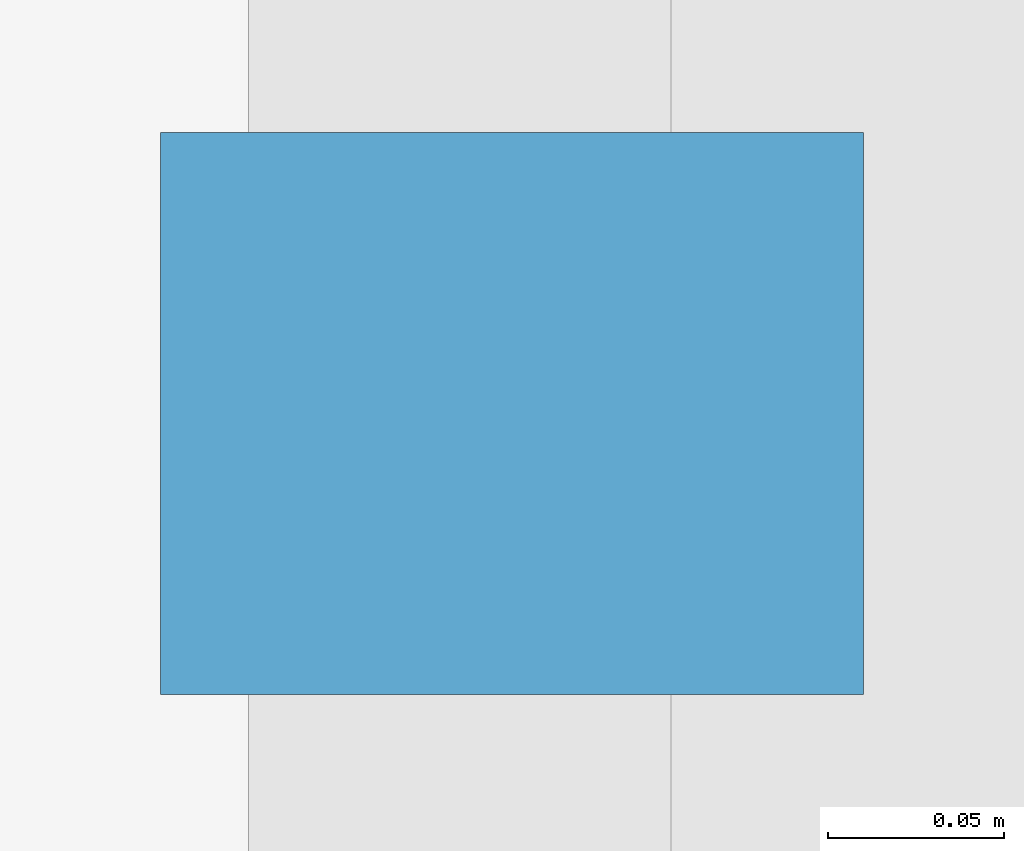
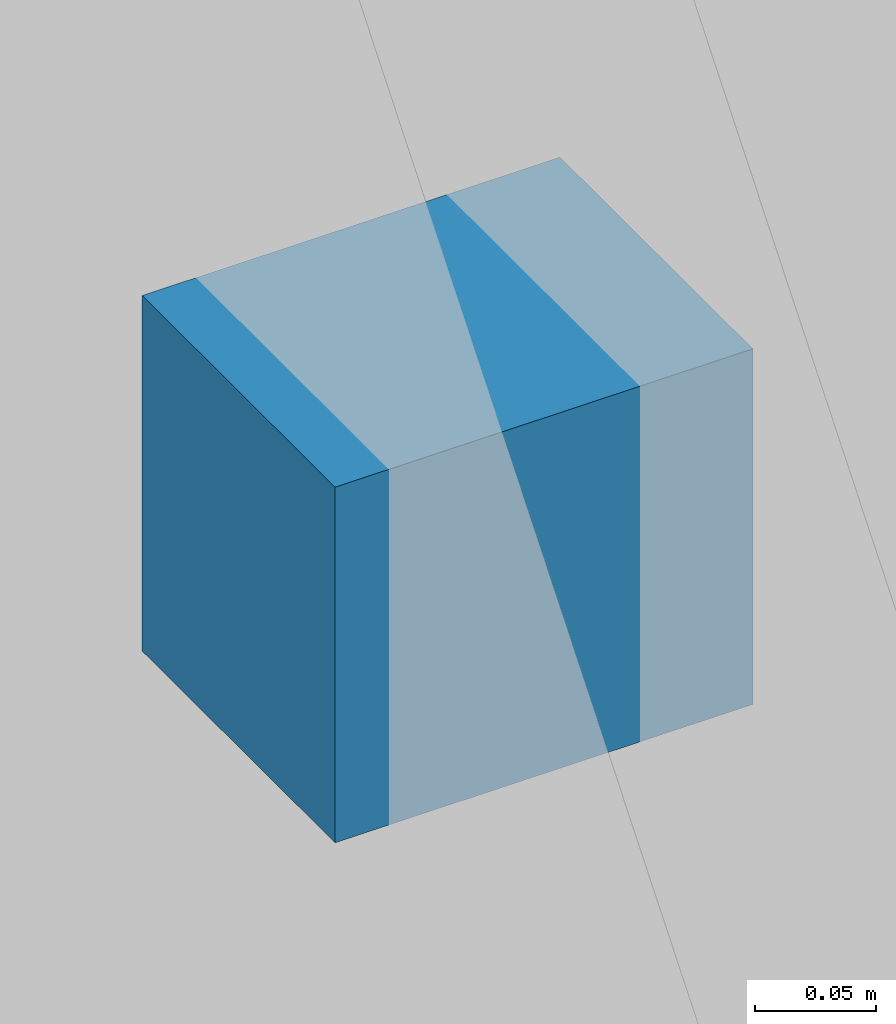
# One storey, part 17 of 21: 1 discrete accessory.
"""IFC4 building model written with IfcOpenShell, lengths in metres."""

import ifcopenshell
import ifcopenshell.guid

model = None  # the IFC model being written
_history = None  # IfcOwnerHistory: only IFC2X3 demands one
_inside = {}  # id of a spatial element -> (the spatial element, [elements in it])
_under = {}  # id of a project, library or spatial element -> (it, [spatial elements below it])
_declared = {}  # id of a project -> (the project, [libraries it declares])
_typed = {}  # id of a type object -> (the type object, [elements of that type])
_made_of = {}  # id of a material, layer set ... -> (it, [elements and type objects made of it])


def new_model(schema):
    """Start an empty IFC model of exactly this schema.

    Asked for "IFC4X3", IfcOpenShell would pick the latest addendum, in which some entities
    have other attributes; the version numbers below select the first issue.
    IFC2X3 requires an IfcOwnerHistory on every rooted entity: one is made here for all.
    """
    global model, _history
    if schema == "IFC4X3":
        model = ifcopenshell.file(schema_version=(4, 3, 0, 0))
    else:
        model = ifcopenshell.file(schema=schema)
    _inside.clear()
    _under.clear()
    _declared.clear()
    _typed.clear()
    _made_of.clear()
    _history = None
    if model.schema == "IFC2X3":
        org = make("IfcOrganization", Name="unknown")
        user = make(
            "IfcPersonAndOrganization",
            ThePerson=make("IfcPerson", FamilyName="unknown"),
            TheOrganization=org,
        )
        app = make(
            "IfcApplication",
            ApplicationDeveloper=org,
            Version="unknown",
            ApplicationFullName="unknown",
            ApplicationIdentifier="unknown",
        )
        _history = make(
            "IfcOwnerHistory",
            OwningUser=user,
            OwningApplication=app,
            ChangeAction="ADDED",
            CreationDate=0,
        )
    return model


def make(cls, **values):
    """One entity of the class cls with the attributes given. An attribute that is None is left unset."""
    return model.create_entity(
        cls, **{name: value for name, value in values.items() if value is not None}
    )


def rooted(cls, **values):
    """An entity with a GlobalId (a new one), such as an element, a storey or a relation."""
    return make(cls, GlobalId=ifcopenshell.guid.new(), OwnerHistory=_history, **values)


def si_unit(unit_type, name, prefix=None):
    """IfcSIUnit, for example si_unit("LENGTHUNIT", "METRE", prefix="MILLI")."""
    return make("IfcSIUnit", UnitType=unit_type, Prefix=prefix, Name=name)


def assignment(units):
    """IfcUnitAssignment: the units of a project."""
    return None if units is None else make("IfcUnitAssignment", Units=units)


def point(xyz):
    """IfcCartesianPoint."""
    return None if xyz is None else make("IfcCartesianPoint", Coordinates=xyz)


def direction(xyz):
    """IfcDirection."""
    return None if xyz is None else make("IfcDirection", DirectionRatios=xyz)


def frame(location, z_axis=None, x_axis=None):
    """IfcAxis2Placement3D, a coordinate frame: its origin and axes. An axis left out is left unset."""
    return make(
        "IfcAxis2Placement3D",
        Location=point(location),
        Axis=direction(z_axis),
        RefDirection=direction(x_axis),
    )


def frame_2d(location, x_axis=None):
    """IfcAxis2Placement2D, a coordinate frame in the plane: its origin and x axis."""
    return make(
        "IfcAxis2Placement2D", Location=point(location), RefDirection=direction(x_axis)
    )


def origin():
    """The frame at (0, 0, 0) with its axes left unset."""
    return frame((0.0, 0.0, 0.0))


def origin_2d():
    """The frame at (0, 0) in the plane with its x axis left unset."""
    return frame_2d((0.0, 0.0))


def place(relative_to, where):
    """IfcLocalPlacement: puts the frame where relative to a parent placement (None: the world)."""
    return make(
        "IfcLocalPlacement", PlacementRelTo=relative_to, RelativePlacement=where
    )


def context(
    kind, dimensions, precision=None, world=None, true_north=None, identifier=None
):
    """IfcGeometricRepresentationContext, for example the 3D "Model" context."""
    return make(
        "IfcGeometricRepresentationContext",
        ContextIdentifier=identifier,
        ContextType=kind,
        CoordinateSpaceDimension=dimensions,
        Precision=precision,
        WorldCoordinateSystem=world,
        TrueNorth=true_north,
    )


def subcontext(parent, identifier, kind, view, scale=None):
    """IfcGeometricRepresentationSubContext, for example "Body" below "Model"."""
    return make(
        "IfcGeometricRepresentationSubContext",
        ContextIdentifier=identifier,
        ContextType=kind,
        ParentContext=parent,
        TargetScale=scale,
        TargetView=view,
    )


def project(units=None, contexts=None):
    """IfcProject with its units and contexts."""
    return rooted(
        "IfcProject",
        Name="project",
        RepresentationContexts=contexts,
        UnitsInContext=assignment(units),
    )


def spatial(cls, under=None, at=None, **own):
    """A site, building, storey or space (cls), placed at a placement, below another one or the project."""
    s = rooted(cls, ObjectPlacement=at, **own)
    if under is not None:
        _under.setdefault(under.id(), (under, []))[1].append(s)
    return s


def profile(cls, at=None, kind="AREA", **sizes):
    """A parametric profile (cls). Its sizes go by their IFC names, for example OverallWidth=200.0."""
    return make(cls, ProfileType=kind, Position=at, **sizes)


def rectangle(**sizes):
    """IfcRectangleProfileDef."""
    return profile("IfcRectangleProfileDef", **sizes)


def extrude(swept, where, along, depth):
    """IfcExtrudedAreaSolid: the profile swept, set in the frame where, extruded along a direction by depth."""
    return make(
        "IfcExtrudedAreaSolid",
        SweptArea=swept,
        Position=where,
        ExtrudedDirection=direction(along),
        Depth=depth,
    )


def shape(context_of_items, identifier, shape_type, items):
    """IfcShapeRepresentation: the items that make up one representation, for example the "Body"."""
    return make(
        "IfcShapeRepresentation",
        ContextOfItems=context_of_items,
        RepresentationIdentifier=identifier,
        RepresentationType=shape_type,
        Items=items,
    )


def material(Name=None, Category=None):
    """IfcMaterial."""
    return make("IfcMaterial", Name=Name, Category=Category)


def made_of(thing, what):
    """Note that an element or type object is made of a material, layer set ...; save() writes the relation."""
    if what is not None:
        _made_of.setdefault(what.id(), (what, []))[1].append(thing)
    return thing


def type_object(cls, material=None, **own):
    """A type object (cls), such as IfcWallType, which elements share."""
    return made_of(rooted(cls, **own), material)


def element(
    cls,
    number,
    at=None,
    inside=None,
    cuts=None,
    type_object=None,
    material=None,
    context=None,
    identifier="Body",
    shape_type=None,
    held_by="IfcProductDefinitionShape",
    body=None,
    shapes=None,
    **own,
):
    """One element of the class cls, such as IfcWall. Its Tag is "e" and its number.

    at: its placement. inside: the storey or other place that contains it. cuts: it is an
    opening in that element (IfcRelVoidsElement). A single representation is given by context,
    identifier, shape_type and body (its items); several are given by shapes. held_by: the class
    of the entity that holds the representations. save() writes the other relations.
    """
    e = rooted(cls, Tag="e%d" % number, ObjectPlacement=at, **own)
    if body is not None:
        shapes = [shape(context, identifier, shape_type, body)]
    if shapes is not None:
        e.Representation = make(held_by, Representations=shapes)
    if inside is not None:
        _inside.setdefault(inside.id(), (inside, []))[1].append(e)
    if cuts is not None:
        rooted(
            "IfcRelVoidsElement", RelatingBuildingElement=cuts, RelatedOpeningElement=e
        )
    if type_object is not None:
        _typed.setdefault(type_object.id(), (type_object, []))[1].append(e)
    return made_of(e, material)


def aggregate(whole, parts):
    """IfcRelAggregates: a whole, such as a stair, and the parts it consists of."""
    return rooted("IfcRelAggregates", RelatingObject=whole, RelatedObjects=parts)


def save(model, path):
    """Write the relations noted so far, then the file.

    IfcRelAggregates (storeys below a building ...), IfcRelContainedInSpatialStructure (elements
    in a storey), IfcRelDefinesByType, IfcRelAssociatesMaterial and IfcRelDeclares: one each for
    every whole, place, type object, material and project.
    """
    for whole, parts in _under.values():
        aggregate(whole, parts)
    for where, things in _inside.values():
        rooted(
            "IfcRelContainedInSpatialStructure",
            RelatedElements=things,
            RelatingStructure=where,
        )
    for kind, things in _typed.values():
        rooted("IfcRelDefinesByType", RelatedObjects=things, RelatingType=kind)
    for what, things in _made_of.values():
        rooted("IfcRelAssociatesMaterial", RelatedObjects=things, RelatingMaterial=what)
    for by, libraries in _declared.values():
        rooted("IfcRelDeclares", RelatingContext=by, RelatedDefinitions=libraries)
    model.write(path)


model = new_model("IFC4")

# Units and contexts
model_context = context("Model", 3, precision=1e-05, world=origin(), true_north=direction((0.0, 1.0)))
body_context = subcontext(model_context, "Body", "Model", "MODEL_VIEW")
ifc_project = project(units=[si_unit("LENGTHUNIT", "METRE"), si_unit("AREAUNIT", "SQUARE_METRE"), si_unit("VOLUMEUNIT", "CUBIC_METRE"), si_unit("PLANEANGLEUNIT", "RADIAN"), si_unit("MASSUNIT", "GRAM", prefix="KILO")], contexts=[model_context])

# Site, building, storey
site_placement = place(None, origin())
site = spatial("IfcSite", under=ifc_project, at=site_placement, CompositionType="ELEMENT")
building_placement = place(site_placement, origin())
building = spatial("IfcBuilding", under=site, at=building_placement, Name="Koriwani Terraces Tower", CompositionType="ELEMENT")
storey_placement = place(building_placement, frame((0.0, 0.0, 197.60009765625)))
storey = spatial("IfcBuildingStorey", under=building, at=storey_placement, Name="L48", CompositionType="ELEMENT", Elevation=197.60009765625)

# Discrete accessory
ifc_material = material(Name="Steel ASTM A572 Grade 50", Category="steel")
discrete_accessory_type = type_object("IfcDiscreteAccessoryType", Name="BAGUETTE_STANDOFF_BRACKET", PredefinedType="BRACKET", material=ifc_material)
discrete_accessory_placement = place(storey_placement, frame((33.2099609375, 63.0, 1.64501953125), z_axis=(0.0, 0.0, 1.0), x_axis=(0.0, -1.0, 0.0)))
element("IfcDiscreteAccessory", 1, at=discrete_accessory_placement, inside=storey, type_object=discrete_accessory_type, Name="L48 Terracotta Baguette Bracket (NW_IN-11)", PredefinedType="BRACKET", context=body_context, shape_type="SweptSolid", body=[
    extrude(rectangle(XDim=0.159912109375, YDim=0.199951171875, at=origin_2d()), origin(), (0.0, 0.0, 1.0), 0.179931640625),
])

save(model, "model.ifc")
